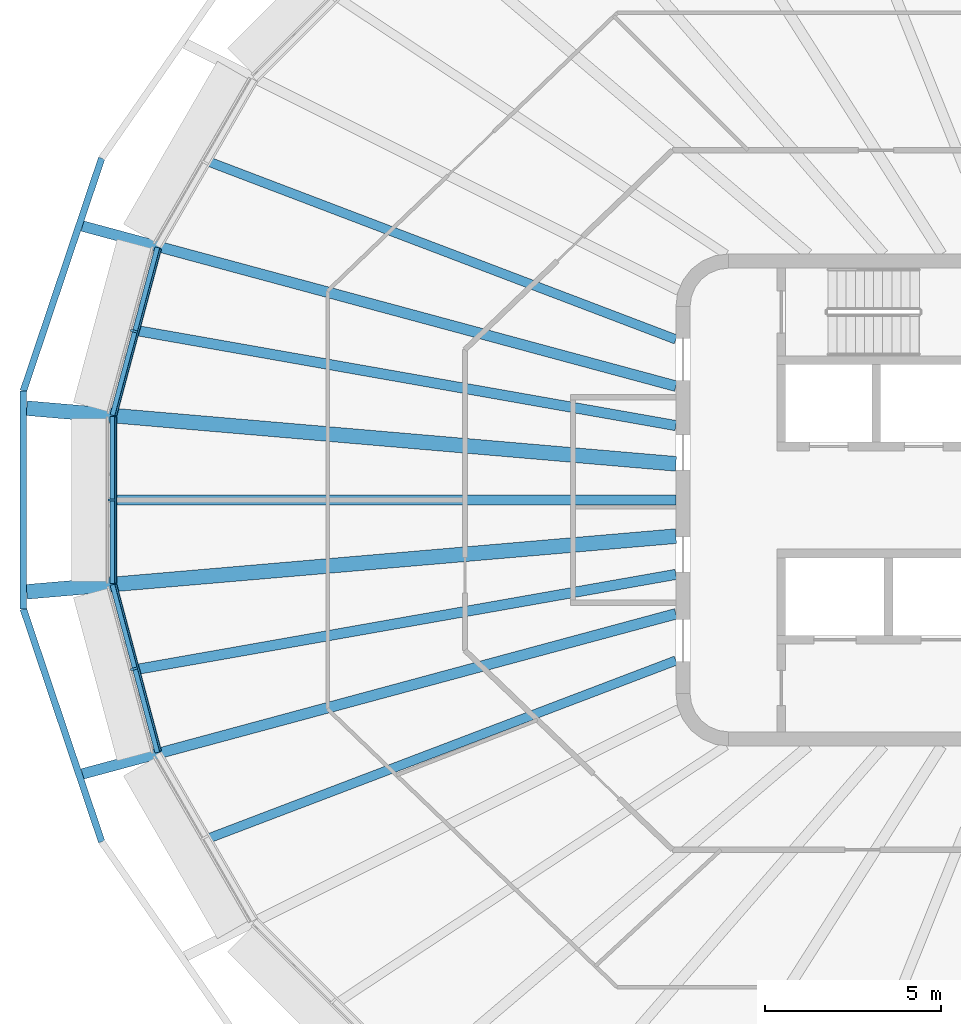
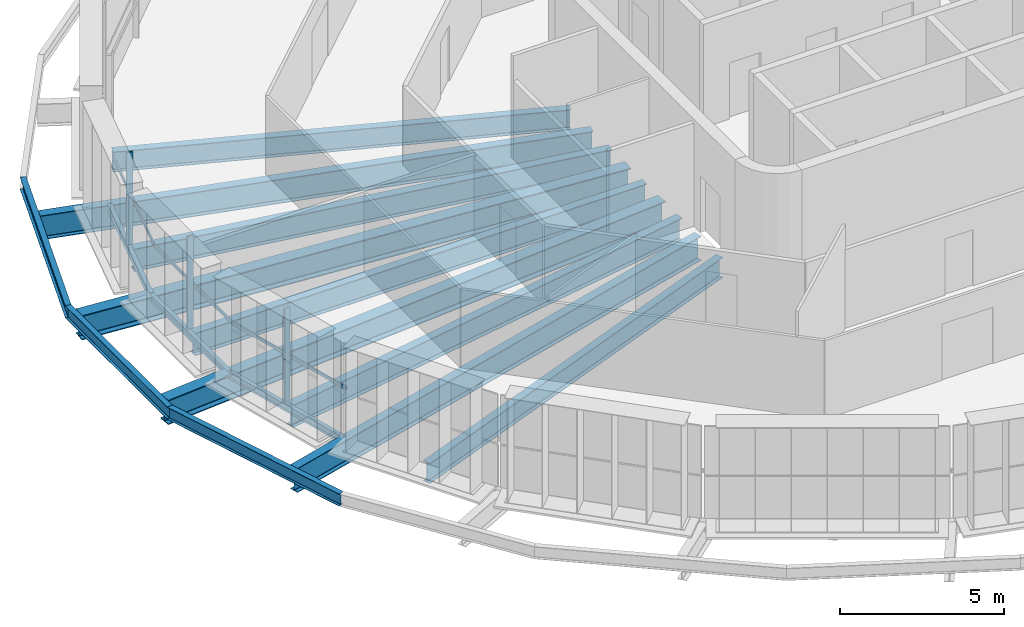
# One storey, part 2 of 17: 15 beams, 6 members, 3 elements without a shape of their own.
"""IFC4 building model written with IfcOpenShell, lengths in metres."""

from ifc_helpers import new_model, si_unit, direction, frame, origin, origin_2d, place, context, subcontext, project, spatial, rectangle, i_section, extrude, material, layer, layer_set, material_profile, profile_set, type_object, element, aggregate, save


model = new_model("IFC4")

# Units and contexts
model_context = context("Model", 3, precision=1e-05, world=origin(), true_north=direction((0.0, 1.0)))
body_context = subcontext(model_context, "Body", "Model", "MODEL_VIEW")
ifc_project = project(units=[si_unit("LENGTHUNIT", "METRE"), si_unit("AREAUNIT", "SQUARE_METRE"), si_unit("VOLUMEUNIT", "CUBIC_METRE"), si_unit("PLANEANGLEUNIT", "RADIAN"), si_unit("MASSUNIT", "GRAM", prefix="KILO")], contexts=[model_context])

# Site, building, storey
site_placement = place(None, origin())
site = spatial("IfcSite", under=ifc_project, at=site_placement, CompositionType="ELEMENT")
building_placement = place(site_placement, origin())
building = spatial("IfcBuilding", under=site, at=building_placement, Name="Sahrelin Media Tower", CompositionType="ELEMENT")
storey_placement = place(building_placement, frame((0.0, 0.0, 291.0)))
storey = spatial("IfcBuildingStorey", under=building, at=storey_placement, Name="L64", CompositionType="ELEMENT", Elevation=291.0)

# Beams
ifc_material_1 = material(Name="Steel S355", Category="steel")
ifc_material_profile_1 = material_profile(ifc_material_1, i_section(OverallWidth=0.14599609375, OverallDepth=0.25146484375, WebThickness=0.006103515625, FlangeThickness=0.008544921875, FilletRadius=0.007568359375, at=origin_2d()), Name="UB 254x146x31")
ifc_profile_set_1 = profile_set([ifc_material_profile_1], Name="Steel S355")
beam_type_1 = type_object("IfcBeamType", Name="Edge beam EB1", PredefinedType="BEAM", material=ifc_profile_set_1)
beam_1_placement = place(storey_placement, frame((-26.747802734375, -7.182373046875, -0.275634765625), z_axis=(-0.258803602832, 0.965929963901, 0.0), x_axis=(-0.965929963901, -0.258803602832, 0.0)))
element("IfcBeam", 1, at=beam_1_placement, inside=storey, type_object=beam_type_1, Name="Edge beam L64-09", PredefinedType="BEAM", context=body_context, shape_type="SweptSolid", body=[
    extrude(i_section(OverallWidth=0.14599609375, OverallDepth=0.25146484375, WebThickness=0.006103515625, FlangeThickness=0.008544921875, FilletRadius=0.007568359375, at=origin_2d()), origin(), (0.0, 0.0, 1.0), 4.940185546875),
])
beam_2_placement = place(storey_placement, frame((-28.030029296875, -2.3818359375, -0.275634765625), z_axis=(0.0, 1.0, 0.0), x_axis=(-1.0, 0.0, 0.0)))
element("IfcBeam", 2, at=beam_2_placement, inside=storey, type_object=beam_type_1, Name="Edge beam L64-10", PredefinedType="BEAM", context=body_context, shape_type="SweptSolid", body=[
    extrude(i_section(OverallWidth=0.14599609375, OverallDepth=0.25146484375, WebThickness=0.006103515625, FlangeThickness=0.008544921875, FilletRadius=0.007568359375, at=origin_2d()), origin(), (0.0, 0.0, 1.0), 4.763671875),
])
beam_3_placement = place(storey_placement, frame((-28.0263671875, 2.410400390625, -0.275634765625), z_axis=(0.258803602832, 0.965929963901, 0.0), x_axis=(-0.965929963901, 0.258803602832, 0.0)))
element("IfcBeam", 3, at=beam_3_placement, inside=storey, type_object=beam_type_1, Name="Edge beam L64-11", PredefinedType="BEAM", context=body_context, shape_type="SweptSolid", body=[
    extrude(i_section(OverallWidth=0.14599609375, OverallDepth=0.25146484375, WebThickness=0.006103515625, FlangeThickness=0.008544921875, FilletRadius=0.007568359375, at=origin_2d()), origin(), (0.0, 0.0, 1.0), 4.940185546875),
])

# Curtain wall, member
ifc_material_2 = material(Name="Champagne anodised aluminium 6063-T6", Category="aluminium")
ifc_layer = layer(ifc_material_2, 0.14990234375)
ifc_layer_set = layer_set([ifc_layer], Name="Tower ribbon curtain wall")
curtain_wall_type = type_object("IfcCurtainWallType", Name="Tower ribbon curtain wall", PredefinedType="NOTDEFINED", material=ifc_layer_set)
curtain_wall_1_placement = place(storey_placement, frame((-27.531982421875, 4.835205078125, 0.0), z_axis=(0.0, 0.0, 1.0), x_axis=(1.0, 0.0, 0.0)))
curtain_wall_1 = element("IfcCurtainWall", 4, at=curtain_wall_1_placement, inside=storey, type_object=curtain_wall_type, Name="L64:CW:L64-11", PredefinedType="NOTDEFINED")
ifc_material_profile_2 = material_profile(ifc_material_2, rectangle(XDim=0.06005859375, YDim=0.199951171875, at=origin_2d()), Name="Mullion 60x200")
ifc_profile_set_2 = profile_set([ifc_material_profile_2], Name="Champagne anodised aluminium 6063-T6")
member_type_1 = type_object("IfcMemberType", Name="Mullion 60x200 CW1C", PredefinedType="MULLION", material=ifc_profile_set_2)
member_1_placement = place(storey_placement, frame((-27.416015625, 4.80419921875, 0.0), z_axis=(0.0, 0.0, 1.0), x_axis=(-0.258825788531, -0.965924019368, 0.0)))
member_1 = element("IfcMember", 5, at=member_1_placement, type_object=member_type_1, Name="L64:CWM:L64-11", PredefinedType="MULLION", context=body_context, shape_type="SweptSolid", body=[
    extrude(rectangle(XDim=0.06005859375, YDim=0.199951171875, at=origin_2d()), origin(), (0.0, 0.0, 1.0), 3.448486328125),
])

curtain_wall_2_placement = place(storey_placement, frame((-28.18017578125, 0.0, 0.0), z_axis=(0.0, 0.0, 1.0), x_axis=(1.0, 0.0, 0.0)))
curtain_wall_2 = element("IfcCurtainWall", 6, at=curtain_wall_2_placement, inside=storey, type_object=curtain_wall_type, Name="L64:CW:L64-12", PredefinedType="NOTDEFINED")
member_2_placement = place(storey_placement, frame((-28.06005859375, 0.0, 0.0), z_axis=(0.0, 0.0, 1.0), x_axis=(0.0, -1.0, 0.0)))
member_2 = element("IfcMember", 7, at=member_2_placement, type_object=member_type_1, Name="L64:CWM:L64-12", PredefinedType="MULLION", context=body_context, shape_type="SweptSolid", body=[
    extrude(rectangle(XDim=0.06005859375, YDim=0.199951171875, at=origin_2d()), origin(), (0.0, 0.0, 1.0), 3.448486328125),
])

curtain_wall_3_placement = place(storey_placement, frame((-27.531982421875, -4.835205078125, 0.0), z_axis=(0.0, 0.0, 1.0), x_axis=(1.0, 0.0, 0.0)))
curtain_wall_3 = element("IfcCurtainWall", 8, at=curtain_wall_3_placement, inside=storey, type_object=curtain_wall_type, Name="L64:CW:L64-13", PredefinedType="NOTDEFINED")
member_3_placement = place(storey_placement, frame((-27.416015625, -4.80419921875, 0.0), z_axis=(0.0, 0.0, 1.0), x_axis=(0.258825788531, -0.965924019368, 0.0)))
member_3 = element("IfcMember", 9, at=member_3_placement, type_object=member_type_1, Name="L64:CWM:L64-13", PredefinedType="MULLION", context=body_context, shape_type="SweptSolid", body=[
    extrude(rectangle(XDim=0.06005859375, YDim=0.199951171875, at=origin_2d()), origin(), (0.0, 0.0, 1.0), 3.448486328125),
])

# Beams
ifc_material_profile_3 = material_profile(ifc_material_1, i_section(OverallWidth=0.30322265625, OverallDepth=0.903076171875, WebThickness=0.01513671875, FlangeThickness=0.020263671875, FilletRadius=0.01904296875, at=origin_2d()), Name="UB 914x305x201")
ifc_profile_set_3 = profile_set([ifc_material_profile_3], Name="Steel S355")
beam_type_2 = type_object("IfcBeamType", Name="Radial primary beam PB11", PredefinedType="BEAM", material=ifc_profile_set_3)
for number, where, z_axis, x_axis, name in (
    (10, (-12.0, 3.238037109375, -0.6015625), (-0.965467470527, 0.260523633005, 0.0), (-0.260523633005, -0.965467470527, 0.0), "Radial beam L64-11"),
    (11, (-12.0, -3.238037109375, -0.6015625), (-0.965467470527, -0.260523633005, 0.0), (0.260523633005, -0.965467470527, 0.0), "Radial beam L64-14"),
):
    element("IfcBeam", number, at=place(storey_placement, frame(where, z_axis=z_axis, x_axis=x_axis)), inside=storey, type_object=beam_type_2, Name=name, PredefinedType="BEAM", context=body_context, shape_type="SweptSolid", body=[
        extrude(i_section(OverallWidth=0.30322265625, OverallDepth=0.903076171875, WebThickness=0.01513671875, FlangeThickness=0.020263671875, FilletRadius=0.01904296875, at=origin_2d()), origin(), (0.0, 0.0, 1.0), 17.488525390625),
    ])
ifc_material_profile_4 = material_profile(ifc_material_1, i_section(OverallWidth=0.41845703125, OverallDepth=0.911865234375, WebThickness=0.019287109375, FlangeThickness=0.031982421875, FilletRadius=0.024169921875, at=origin_2d()), Name="UB 914x419x343")
ifc_profile_set_4 = profile_set([ifc_material_profile_4], Name="Steel S355")
beam_type_3 = type_object("IfcBeamType", Name="Radial primary beam PB12", PredefinedType="BEAM", material=ifc_profile_set_4)
for number, where, z_axis, x_axis, name in (
    (12, (-12.0, 1.02880859375, -0.60595703125), (-0.996344535432, 0.085425796542, 0.0), (-0.085425796542, -0.996344535432, 0.0), "Radial beam L64-12"),
    (13, (-12.0, -1.02880859375, -0.60595703125), (-0.996344535432, -0.085425796542, 0.0), (0.085425796542, -0.996344535432, 0.0), "Radial beam L64-13"),
):
    element("IfcBeam", number, at=place(storey_placement, frame(where, z_axis=z_axis, x_axis=x_axis)), inside=storey, type_object=beam_type_3, Name=name, PredefinedType="BEAM", context=body_context, shape_type="SweptSolid", body=[
        extrude(i_section(OverallWidth=0.41845703125, OverallDepth=0.911865234375, WebThickness=0.019287109375, FlangeThickness=0.031982421875, FilletRadius=0.024169921875, at=origin_2d()), origin(), (0.0, 0.0, 1.0), 18.53662109375),
    ])
ifc_material_profile_5 = material_profile(ifc_material_1, i_section(OverallWidth=0.291748046875, OverallDepth=0.8349609375, WebThickness=0.013916015625, FlangeThickness=0.018798828125, FilletRadius=0.017822265625, at=origin_2d()), Name="UB 838x292x176")
ifc_profile_set_5 = profile_set([ifc_material_profile_5], Name="Steel S355")
beam_type_4 = type_object("IfcBeamType", Name="Radial secondary beam SB10", PredefinedType="BEAM", material=ifc_profile_set_5)
beam_4_placement = place(storey_placement, frame((-12.0, 2.1162109375, -0.5673828125), z_axis=(-0.98480726964, 0.173650918987, 0.0), x_axis=(-0.173650918987, -0.98480726964, 0.0)))
element("IfcBeam", 14, at=beam_4_placement, inside=storey, type_object=beam_type_4, Name="Secondary beam L64-10", PredefinedType="BEAM", context=body_context, shape_type="SweptSolid", body=[
    extrude(i_section(OverallWidth=0.291748046875, OverallDepth=0.8349609375, WebThickness=0.013916015625, FlangeThickness=0.018798828125, FilletRadius=0.017822265625, at=origin_2d()), origin(), (0.0, 0.0, 1.0), 15.54248046875),
])
beam_5_placement = place(storey_placement, frame((-12.0, 0.0, -0.5673828125), z_axis=(-1.0, 0.0, 0.0), x_axis=(0.0, -1.0, 0.0)))
element("IfcBeam", 15, at=beam_5_placement, inside=storey, type_object=beam_type_4, Name="Secondary beam L64-11", PredefinedType="BEAM", context=body_context, shape_type="SweptSolid", body=[
    extrude(i_section(OverallWidth=0.291748046875, OverallDepth=0.8349609375, WebThickness=0.013916015625, FlangeThickness=0.018798828125, FilletRadius=0.017822265625, at=origin_2d()), origin(), (0.0, 0.0, 1.0), 15.95703125),
])
beam_6_placement = place(storey_placement, frame((-12.0, -2.1162109375, -0.5673828125), z_axis=(-0.98480726964, -0.173650918987, 0.0), x_axis=(0.173650918987, -0.98480726964, 0.0)))
element("IfcBeam", 16, at=beam_6_placement, inside=storey, type_object=beam_type_4, Name="Secondary beam L64-12", PredefinedType="BEAM", context=body_context, shape_type="SweptSolid", body=[
    extrude(i_section(OverallWidth=0.291748046875, OverallDepth=0.8349609375, WebThickness=0.013916015625, FlangeThickness=0.018798828125, FilletRadius=0.017822265625, at=origin_2d()), origin(), (0.0, 0.0, 1.0), 15.54248046875),
])
ifc_material_profile_6 = material_profile(ifc_material_1, i_section(OverallWidth=0.26513671875, OverallDepth=0.75390625, WebThickness=0.0126953125, FlangeThickness=0.017578125, FilletRadius=0.0166015625, at=origin_2d()), Name="UB 762x267x147")
ifc_profile_set_6 = profile_set([ifc_material_profile_6], Name="Steel S355")
beam_type_5 = type_object("IfcBeamType", Name="Radial secondary beam SB9", PredefinedType="BEAM", material=ifc_profile_set_6)
for number, where, z_axis, x_axis, name in (
    (17, (-12.0, 4.567138671875, -0.527099609375), (-0.934593779724, 0.355716835279, 0.0), (-0.355716835279, -0.934593779724, 0.0), "Secondary beam L64-09"),
    (18, (-12.0, -4.567138671875, -0.527099609375), (-0.934593779724, -0.355716835279, 0.0), (0.355716835279, -0.934593779724, 0.0), "Secondary beam L64-13"),
):
    element("IfcBeam", number, at=place(storey_placement, frame(where, z_axis=z_axis, x_axis=x_axis)), inside=storey, type_object=beam_type_5, Name=name, PredefinedType="BEAM", context=body_context, shape_type="SweptSolid", body=[
        extrude(i_section(OverallWidth=0.26513671875, OverallDepth=0.75390625, WebThickness=0.0126953125, FlangeThickness=0.017578125, FilletRadius=0.0166015625, at=origin_2d()), origin(), (0.0, 0.0, 1.0), 14.181640625),
    ])
ifc_material_profile_7 = material_profile(ifc_material_1, i_section(OverallWidth=0.1904296875, OverallDepth=0.45703125, WebThickness=0.009033203125, FlangeThickness=0.014404296875, FilletRadius=0.01025390625, at=origin_2d()), Name="UB 457x191x74")
ifc_profile_set_7 = profile_set([ifc_material_profile_7], Name="Steel S355")
beam_type_6 = type_object("IfcBeamType", Name="Tie chord TC5", PredefinedType="BEAM", material=ifc_profile_set_7)
beam_7_placement = place(storey_placement, frame((-28.335693359375, 9.7236328125, -0.37841796875), z_axis=(-0.318941686003, -0.947774340721, 0.0), x_axis=(0.947774340721, -0.318941686003, 0.0)))
element("IfcBeam", 19, at=beam_7_placement, inside=storey, type_object=beam_type_6, Name="Tie chord L64-11", PredefinedType="BEAM", context=body_context, shape_type="SweptSolid", body=[
    extrude(i_section(OverallWidth=0.1904296875, OverallDepth=0.45703125, WebThickness=0.009033203125, FlangeThickness=0.014404296875, FilletRadius=0.01025390625, at=origin_2d()), origin(), (0.0, 0.0, 1.0), 6.986572265625),
])
beam_8_placement = place(storey_placement, frame((-30.56396484375, 3.10205078125, -0.37841796875), z_axis=(0.0, -1.0, 0.0), x_axis=(1.0, 0.0, 0.0)))
element("IfcBeam", 20, at=beam_8_placement, inside=storey, type_object=beam_type_6, Name="Tie chord L64-12", PredefinedType="BEAM", context=body_context, shape_type="SweptSolid", body=[
    extrude(i_section(OverallWidth=0.1904296875, OverallDepth=0.45703125, WebThickness=0.009033203125, FlangeThickness=0.014404296875, FilletRadius=0.01025390625, at=origin_2d()), origin(), (0.0, 0.0, 1.0), 6.2041015625),
])
beam_9_placement = place(storey_placement, frame((-30.56396484375, -3.10205078125, -0.37841796875), z_axis=(0.318941686003, -0.947774340721, 0.0), x_axis=(0.947774340721, 0.318941686003, 0.0)))
element("IfcBeam", 21, at=beam_9_placement, inside=storey, type_object=beam_type_6, Name="Tie chord L64-13", PredefinedType="BEAM", context=body_context, shape_type="SweptSolid", body=[
    extrude(i_section(OverallWidth=0.1904296875, OverallDepth=0.45703125, WebThickness=0.009033203125, FlangeThickness=0.014404296875, FilletRadius=0.01025390625, at=origin_2d()), origin(), (0.0, 0.0, 1.0), 6.986572265625),
])

# Member
ifc_material_profile_8 = material_profile(ifc_material_2, rectangle(XDim=0.050048828125, YDim=0.1201171875, at=origin_2d()), Name="Transom 50x120")
ifc_profile_set_8 = profile_set([ifc_material_profile_8], Name="Champagne anodised aluminium 6063-T6")
member_type_2 = type_object("IfcMemberType", Name="Transom 50x120 CW1C", PredefinedType="USERDEFINED", material=ifc_profile_set_8)
member_4_placement = place(storey_placement, frame((-26.659912109375, 7.142578125, 1.60009765625), z_axis=(-0.258826411036, -0.965923852563, 0.0), x_axis=(0.965923852563, -0.258826411036, 0.0)))
member_4 = element("IfcMember", 22, at=member_4_placement, type_object=member_type_2, Name="L64:CWT:L64-11", ObjectType="TRANSOM", PredefinedType="USERDEFINED", context=body_context, shape_type="SweptSolid", body=[
    extrude(rectangle(XDim=0.050048828125, YDim=0.1201171875, at=origin_2d()), origin(), (0.0, 0.0, 1.0), 4.90869140625),
])

aggregate(curtain_wall_1, [member_1, member_4])

member_5_placement = place(storey_placement, frame((-27.93505859375, 2.3662109375, 1.60009765625), z_axis=(0.0, -1.0, 0.0), x_axis=(1.0, 0.0, 0.0)))
member_5 = element("IfcMember", 23, at=member_5_placement, type_object=member_type_2, Name="L64:CWT:L64-12", ObjectType="TRANSOM", PredefinedType="USERDEFINED", context=body_context, shape_type="SweptSolid", body=[
    extrude(rectangle(XDim=0.050048828125, YDim=0.1201171875, at=origin_2d()), origin(), (0.0, 0.0, 1.0), 4.732421875),
])

aggregate(curtain_wall_2, [member_2, member_5])

member_6_placement = place(storey_placement, frame((-27.930419921875, -2.401123046875, 1.60009765625), z_axis=(0.258826411036, -0.965923852563, 0.0), x_axis=(0.965923852563, 0.258826411036, 0.0)))
member_6 = element("IfcMember", 24, at=member_6_placement, type_object=member_type_2, Name="L64:CWT:L64-13", ObjectType="TRANSOM", PredefinedType="USERDEFINED", context=body_context, shape_type="SweptSolid", body=[
    extrude(rectangle(XDim=0.050048828125, YDim=0.1201171875, at=origin_2d()), origin(), (0.0, 0.0, 1.0), 4.90869140625),
])

aggregate(curtain_wall_3, [member_3, member_6])

save(model, "model.ifc")
